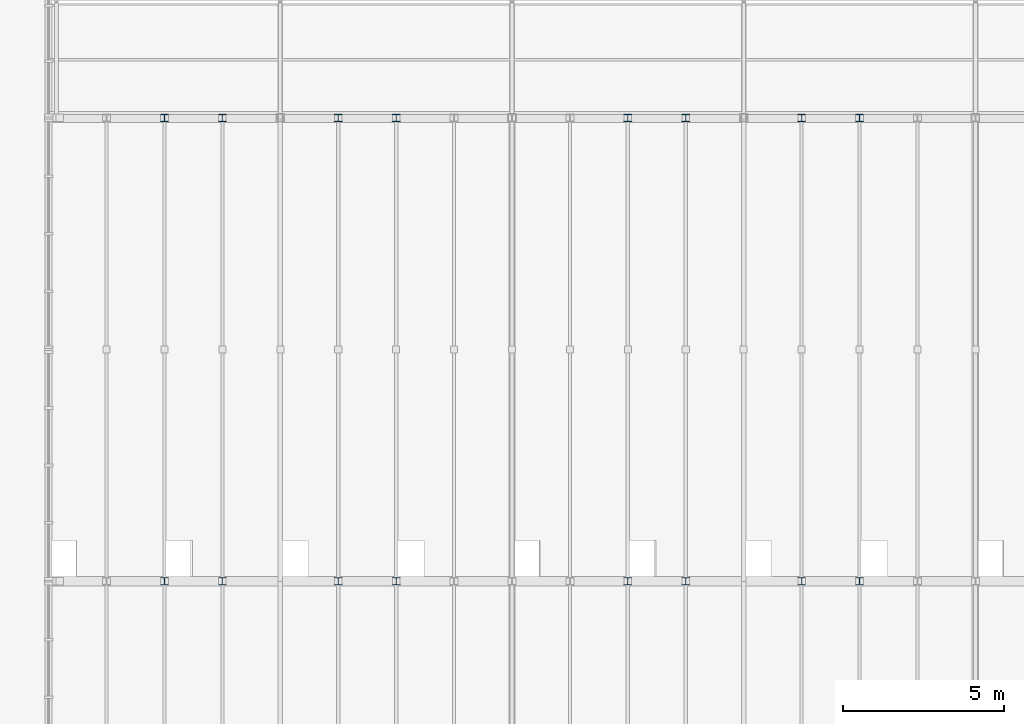
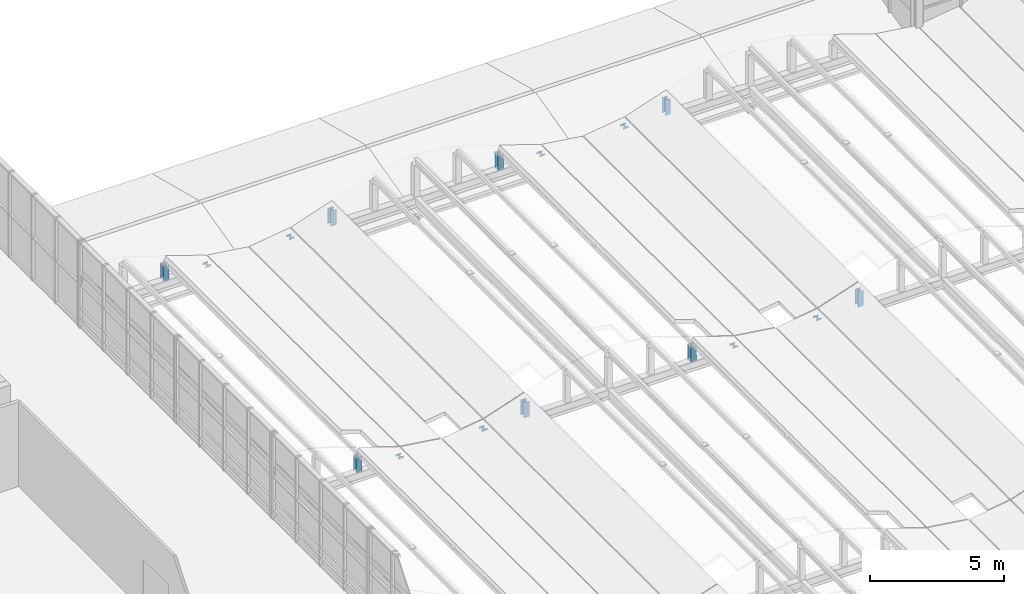
# One storey, part 43 of 83: 16 members.
"""IFC4 building model written with IfcOpenShell, lengths in metres."""

from ifc_helpers import new_model, si_unit, direction, frame, origin, origin_2d, place, context, subcontext, project, spatial, i_section, extrude, material, material_profile, profile_set, type_object, element, save


model = new_model("IFC4")

# Units and contexts
model_context = context("Model", 3, precision=1e-05, world=origin(), true_north=direction((0.0, 1.0)))
body_context = subcontext(model_context, "Body", "Model", "MODEL_VIEW")
ifc_project = project(units=[si_unit("LENGTHUNIT", "METRE"), si_unit("AREAUNIT", "SQUARE_METRE"), si_unit("VOLUMEUNIT", "CUBIC_METRE"), si_unit("PLANEANGLEUNIT", "RADIAN"), si_unit("MASSUNIT", "GRAM", prefix="KILO")], contexts=[model_context])

# Site, building, storey
site_placement = place(None, origin())
site = spatial("IfcSite", under=ifc_project, at=site_placement, CompositionType="ELEMENT")
building_placement = place(site_placement, origin())
building = spatial("IfcBuilding", under=site, at=building_placement, Name="Leyfeld Transit Interchange", CompositionType="ELEMENT")
storey_placement = place(building_placement, frame((0.0, 0.0, 5.39990234375)))
storey = spatial("IfcBuildingStorey", under=building, at=storey_placement, Name="L01", CompositionType="ELEMENT", Elevation=5.39990234375)

# Members
ifc_material = material(Name="Steel S355J2", Category="steel")
ifc_material_profile = material_profile(ifc_material, i_section(OverallWidth=0.239990234375, OverallDepth=0.22998046875, WebThickness=0.007568359375, FlangeThickness=0.011962890625, FilletRadius=0.02099609375, at=origin_2d()), Name="HEA 240")
ifc_profile_set = profile_set([ifc_material_profile], Name="Steel S355J2")
member_type = type_object("IfcMemberType", Name="MEM-CHD-HEA240", PredefinedType="CHORD", material=ifc_profile_set)
for number, where, z_axis, x_axis, name in (
    (1, (104.39990234375, 28.800048828125, 0.860107421875), (0.0, 0.0, 1.0), (1.0, 0.0, 0.0), "Wave Canopy Riser Post 020"),
    (2, (104.39990234375, 43.199951171875, 0.860107421875), (0.0, 0.0, 1.0), (1.0, 0.0, 0.0), "Wave Canopy Riser Post 021"),
):
    element("IfcMember", number, at=place(storey_placement, frame(where, z_axis=z_axis, x_axis=x_axis)), inside=storey, type_object=member_type, Name=name, PredefinedType="CHORD", context=body_context, shape_type="SweptSolid", body=[
        extrude(i_section(OverallWidth=0.239990234375, OverallDepth=0.22998046875, WebThickness=0.007568359375, FlangeThickness=0.011962890625, FilletRadius=0.02099609375, at=origin_2d()), origin(), (0.0, 0.0, 1.0), 0.696533203125),
    ])
for number, where, z_axis, x_axis, name in (
    (3, (106.199951171875, 28.800048828125, 0.860107421875), (0.0, 0.0, 1.0), (1.0, 0.0, 0.0), "Wave Canopy Riser Post 027"),
    (4, (106.199951171875, 43.199951171875, 0.860107421875), (0.0, 0.0, 1.0), (1.0, 0.0, 0.0), "Wave Canopy Riser Post 028"),
    (5, (109.800048828125, 28.800048828125, 0.860107421875), (0.0, 0.0, 1.0), (1.0, 0.0, 0.0), "Wave Canopy Riser Post 037"),
    (6, (109.800048828125, 43.199951171875, 0.860107421875), (0.0, 0.0, 1.0), (1.0, 0.0, 0.0), "Wave Canopy Riser Post 038"),
):
    element("IfcMember", number, at=place(storey_placement, frame(where, z_axis=z_axis, x_axis=x_axis)), inside=storey, type_object=member_type, Name=name, PredefinedType="CHORD", context=body_context, shape_type="SweptSolid", body=[
        extrude(i_section(OverallWidth=0.239990234375, OverallDepth=0.22998046875, WebThickness=0.007568359375, FlangeThickness=0.011962890625, FilletRadius=0.02099609375, at=origin_2d()), origin(), (0.0, 0.0, 1.0), 0.0947265625),
    ])
for number, where, z_axis, x_axis, name in (
    (7, (111.60009765625, 28.800048828125, 0.860107421875), (0.0, 0.0, 1.0), (1.0, 0.0, 0.0), "Wave Canopy Riser Post 044"),
    (8, (111.60009765625, 43.199951171875, 0.860107421875), (0.0, 0.0, 1.0), (1.0, 0.0, 0.0), "Wave Canopy Riser Post 045"),
    (9, (118.800048828125, 28.800048828125, 0.860107421875), (0.0, 0.0, 1.0), (1.0, 0.0, 0.0), "Wave Canopy Riser Post 072"),
    (10, (118.800048828125, 43.199951171875, 0.860107421875), (0.0, 0.0, 1.0), (1.0, 0.0, 0.0), "Wave Canopy Riser Post 073"),
):
    element("IfcMember", number, at=place(storey_placement, frame(where, z_axis=z_axis, x_axis=x_axis)), inside=storey, type_object=member_type, Name=name, PredefinedType="CHORD", context=body_context, shape_type="SweptSolid", body=[
        extrude(i_section(OverallWidth=0.239990234375, OverallDepth=0.22998046875, WebThickness=0.007568359375, FlangeThickness=0.011962890625, FilletRadius=0.02099609375, at=origin_2d()), origin(), (0.0, 0.0, 1.0), 0.696533203125),
    ])
for number, where, z_axis, x_axis, name in (
    (11, (120.60009765625, 28.800048828125, 0.860107421875), (0.0, 0.0, 1.0), (1.0, 0.0, 0.0), "Wave Canopy Riser Post 079"),
    (12, (120.60009765625, 43.199951171875, 0.860107421875), (0.0, 0.0, 1.0), (1.0, 0.0, 0.0), "Wave Canopy Riser Post 080"),
    (13, (124.199951171875, 28.800048828125, 0.860107421875), (0.0, 0.0, 1.0), (1.0, 0.0, 0.0), "Wave Canopy Riser Post 089"),
    (14, (124.199951171875, 43.199951171875, 0.860107421875), (0.0, 0.0, 1.0), (1.0, 0.0, 0.0), "Wave Canopy Riser Post 090"),
):
    element("IfcMember", number, at=place(storey_placement, frame(where, z_axis=z_axis, x_axis=x_axis)), inside=storey, type_object=member_type, Name=name, PredefinedType="CHORD", context=body_context, shape_type="SweptSolid", body=[
        extrude(i_section(OverallWidth=0.239990234375, OverallDepth=0.22998046875, WebThickness=0.007568359375, FlangeThickness=0.011962890625, FilletRadius=0.02099609375, at=origin_2d()), origin(), (0.0, 0.0, 1.0), 0.0947265625),
    ])
for number, where, z_axis, x_axis, name in (
    (15, (126.0, 28.800048828125, 0.860107421875), (0.0, 0.0, 1.0), (1.0, 0.0, 0.0), "Wave Canopy Riser Post 096"),
    (16, (126.0, 43.199951171875, 0.860107421875), (0.0, 0.0, 1.0), (1.0, 0.0, 0.0), "Wave Canopy Riser Post 097"),
):
    element("IfcMember", number, at=place(storey_placement, frame(where, z_axis=z_axis, x_axis=x_axis)), inside=storey, type_object=member_type, Name=name, PredefinedType="CHORD", context=body_context, shape_type="SweptSolid", body=[
        extrude(i_section(OverallWidth=0.239990234375, OverallDepth=0.22998046875, WebThickness=0.007568359375, FlangeThickness=0.011962890625, FilletRadius=0.02099609375, at=origin_2d()), origin(), (0.0, 0.0, 1.0), 0.696533203125),
    ])

save(model, "model.ifc")
